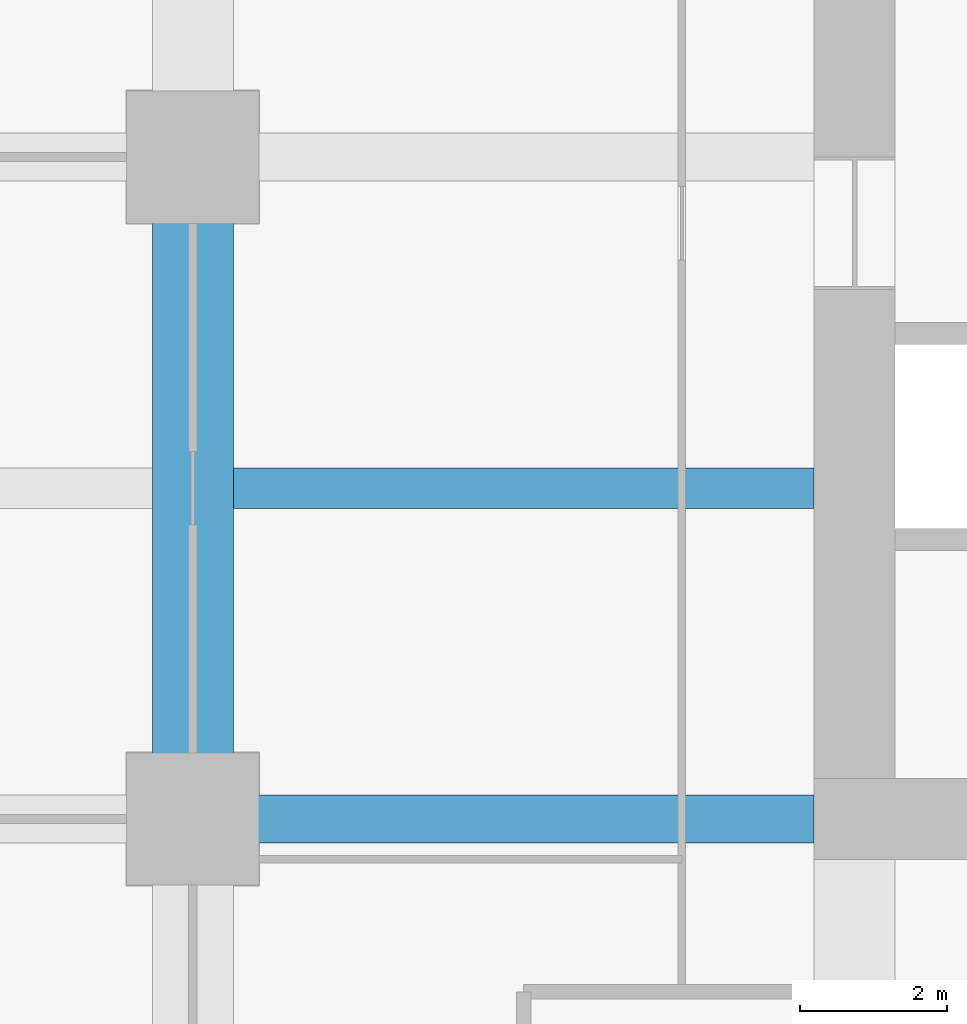
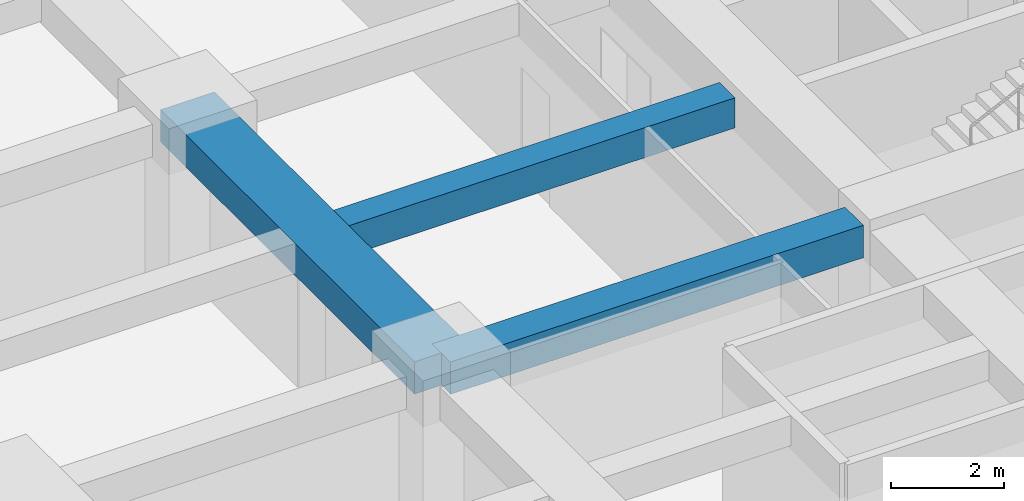
# One storey, part 10 of 40: 3 beams.
"""IFC4 building model written with IfcOpenShell, lengths in metres."""

from ifc_helpers import new_model, si_unit, direction, frame, origin, origin_2d, place, context, subcontext, project, spatial, rectangle, extrude, material, material_profile, profile_set, type_object, element, save


model = new_model("IFC4")

# Units and contexts
model_context = context("Model", 3, precision=1e-05, world=origin(), true_north=direction((0.0, 1.0)))
body_context = subcontext(model_context, "Body", "Model", "MODEL_VIEW")
ifc_project = project(units=[si_unit("LENGTHUNIT", "METRE"), si_unit("AREAUNIT", "SQUARE_METRE"), si_unit("VOLUMEUNIT", "CUBIC_METRE"), si_unit("PLANEANGLEUNIT", "RADIAN"), si_unit("MASSUNIT", "GRAM", prefix="KILO")], contexts=[model_context])

# Site, building, storey
site_placement = place(None, origin())
site = spatial("IfcSite", under=ifc_project, at=site_placement, CompositionType="ELEMENT")
building_placement = place(site_placement, origin())
building = spatial("IfcBuilding", under=site, at=building_placement, Name="Zorevar Civic Tower", CompositionType="ELEMENT")
storey_placement = place(building_placement, frame((0.0, 0.0, 129.0)))
storey = spatial("IfcBuildingStorey", under=building, at=storey_placement, Name="L31", CompositionType="ELEMENT", Elevation=129.0)

# Beams
ifc_material_1 = material(Name="Concrete C50/60", Category="concrete")
ifc_material_profile_1 = material_profile(ifc_material_1, rectangle(XDim=1.10009765625, YDim=0.699951171875, at=origin_2d()), Name="RC 1100x700")
ifc_profile_set_1 = profile_set([ifc_material_profile_1], Name="Concrete C50/60")
beam_type_1 = type_object("IfcBeamType", Name="Beam RC 1100x700", PredefinedType="BEAM", material=ifc_profile_set_1)
beam_1_placement = place(storey_placement, frame((9.0, 18.0, 3.39990234375), z_axis=(0.0, 1.0, 0.0), x_axis=(-1.0, 0.0, 0.0)))
element("IfcBeam", 1, at=beam_1_placement, inside=storey, type_object=beam_type_1, Name="Girder L32", PredefinedType="BEAM", context=body_context, shape_type="SweptSolid", body=[
    extrude(rectangle(XDim=1.10009765625, YDim=0.699951171875, at=origin_2d()), origin(), (0.0, 0.0, 1.0), 9.0),
])
ifc_material_2 = material(Name="Concrete C50/60", Category="concrete")
ifc_material_profile_2 = material_profile(ifc_material_2, rectangle(XDim=0.550048828125, YDim=0.64990234375, at=origin_2d()), Name="RC 550x650")
ifc_profile_set_2 = profile_set([ifc_material_profile_2], Name="Concrete C50/60")
beam_type_2 = type_object("IfcBeamType", Name="Beam RC 550x650", PredefinedType="BEAM", material=ifc_profile_set_2)
beam_2_placement = place(storey_placement, frame((9.550048828125, 22.5, 3.425048828125), z_axis=(1.0, 0.0, 0.0), x_axis=(0.0, 1.0, 0.0)))
element("IfcBeam", 2, at=beam_2_placement, inside=storey, type_object=beam_type_2, Name="Secondary beam L32", PredefinedType="BEAM", context=body_context, shape_type="SweptSolid", body=[
    extrude(rectangle(XDim=0.550048828125, YDim=0.64990234375, at=origin_2d()), origin(), (0.0, 0.0, 1.0), 7.89990234375),
])
ifc_material_3 = material(Name="Concrete C50/60", Category="concrete")
ifc_material_profile_3 = material_profile(ifc_material_3, rectangle(XDim=0.64990234375, YDim=0.699951171875, at=origin_2d()), Name="RC 650x700")
ifc_profile_set_3 = profile_set([ifc_material_profile_3], Name="Concrete C50/60")
beam_type_3 = type_object("IfcBeamType", Name="Beam RC 650x700", PredefinedType="BEAM", material=ifc_profile_set_3)
beam_3_placement = place(storey_placement, frame((9.0, 18.0, 3.39990234375), z_axis=(1.0, 0.0, 0.0), x_axis=(0.0, 1.0, 0.0)))
element("IfcBeam", 3, at=beam_3_placement, inside=storey, type_object=beam_type_3, Name="Girder L32", PredefinedType="BEAM", context=body_context, shape_type="SweptSolid", body=[
    extrude(rectangle(XDim=0.64990234375, YDim=0.699951171875, at=origin_2d()), origin(), (0.0, 0.0, 1.0), 8.449951171875),
])

save(model, "model.ifc")
